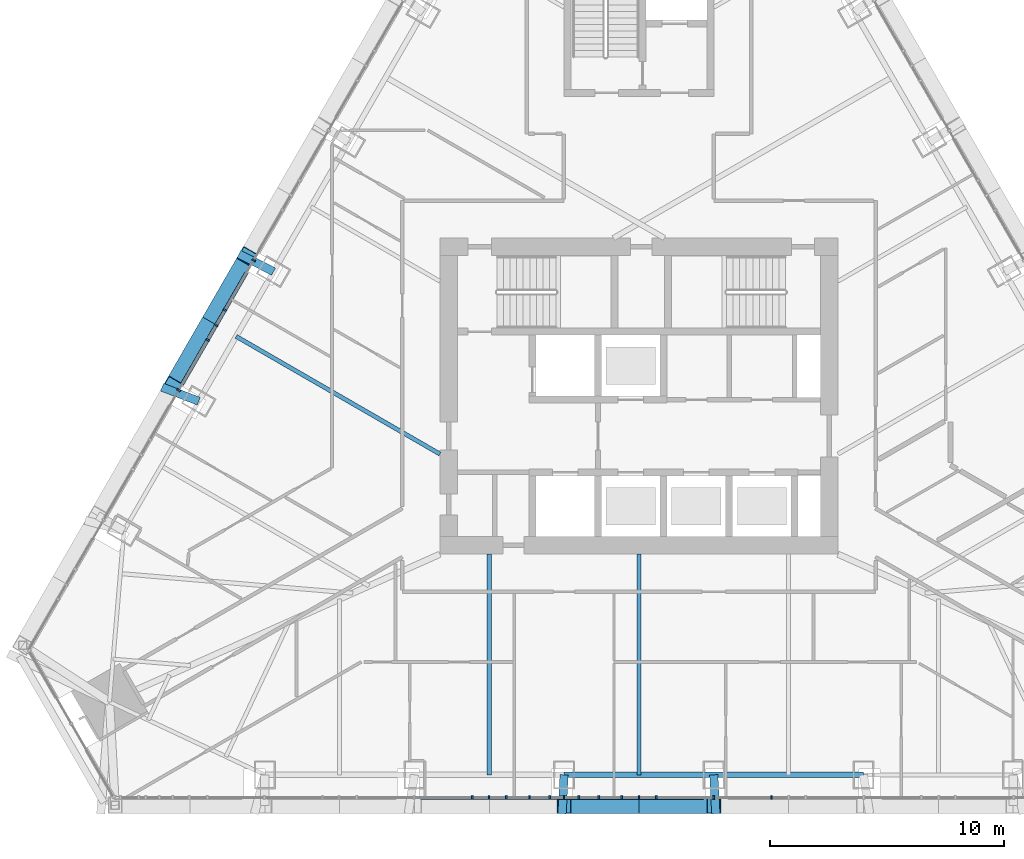
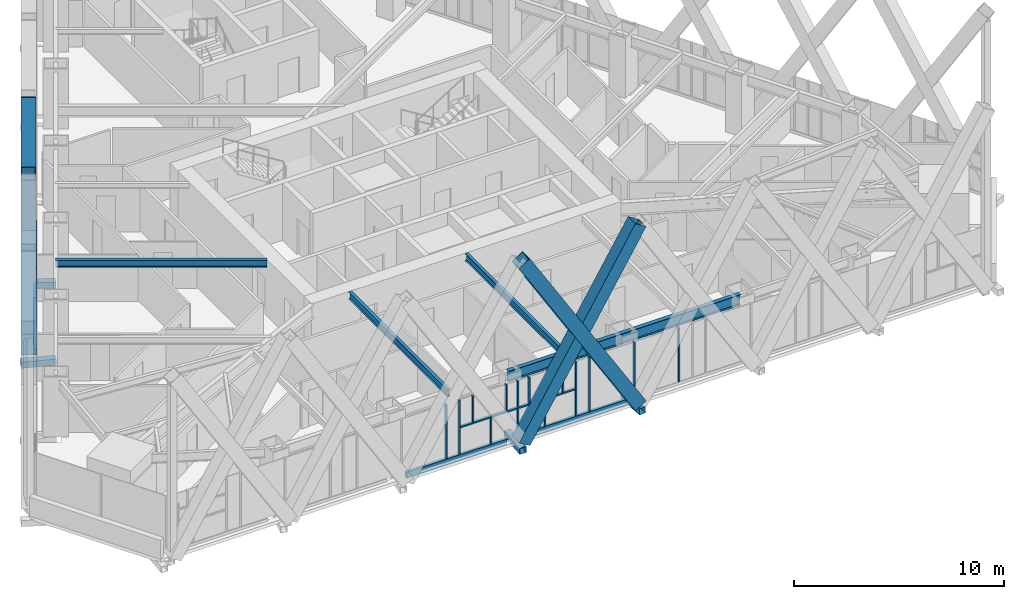
# One storey, part 3 of 21: 31 members, 4 beams, 2 elements without a shape of their own.
"""IFC4 building model written with IfcOpenShell, lengths in metres."""

from ifc_helpers import new_model, si_unit, direction, frame, origin, origin_2d, place, context, subcontext, project, spatial, rectangle, hollow_rectangle, i_section, extrude, material, layer, layer_set, material_profile, profile_set, type_object, element, aggregate, save


model = new_model("IFC4")

# Units and contexts
model_context = context("Model", 3, precision=1e-05, world=origin(), true_north=direction((0.0, 1.0)))
body_context = subcontext(model_context, "Body", "Model", "MODEL_VIEW")
ifc_project = project(units=[si_unit("LENGTHUNIT", "METRE"), si_unit("AREAUNIT", "SQUARE_METRE"), si_unit("VOLUMEUNIT", "CUBIC_METRE"), si_unit("PLANEANGLEUNIT", "RADIAN"), si_unit("MASSUNIT", "GRAM", prefix="KILO")], contexts=[model_context])

# Site, building, storey
site_placement = place(None, origin())
site = spatial("IfcSite", under=ifc_project, at=site_placement, CompositionType="ELEMENT")
building_placement = place(site_placement, origin())
building = spatial("IfcBuilding", under=site, at=building_placement, Name="Firuza Gate Tower and Library", CompositionType="ELEMENT")
storey_placement = place(building_placement, frame((0.0, 0.0, 281.10009765625)))
storey = spatial("IfcBuildingStorey", under=building, at=storey_placement, Name="L67", CompositionType="ELEMENT", Elevation=281.10009765625)

# Members
ifc_material_1 = material(Name="Steel S355", Category="steel")
ifc_material_profile_1 = material_profile(ifc_material_1, hollow_rectangle(XDim=0.699951171875, YDim=0.699951171875, WallThickness=0.030029296875, at=origin_2d()))
ifc_profile_set_1 = profile_set([ifc_material_profile_1], Name="Steel S355")
member_type_1 = type_object("IfcMemberType", Name="BU700x700x30 Lattice brace", PredefinedType="BRACE", material=ifc_profile_set_1)
for number, where, z_axis, x_axis, name in (
    (1, (71.805419921875, 57.531982421875, 0.0), (0.519819652329, 0.0, 0.854276026266), (0.0, 1.0, 0.0), "Lattice brace S 17.4R"),
    (2, (78.194580078125, 57.531982421875, 0.0), (-0.519819652329, 0.0, 0.854276026266), (0.0, -1.0, 0.0), "Lattice brace S 17.4L"),
    (3, (58.27490234375, 80.96728515625, 0.0), (-0.259909558467, -0.450178848537, 0.854275146394), (0.866026504112, -0.499998094172, 0.0), "Lattice brace W 17.5R"),
    (4, (55.080322265625, 75.43408203125, 0.0), (0.259909558467, 0.450178848537, 0.854275146394), (-0.866026504112, 0.499998094172, 0.0), "Lattice brace W 17.5L"),
):
    element("IfcMember", number, at=place(storey_placement, frame(where, z_axis=z_axis, x_axis=x_axis)), inside=storey, type_object=member_type_1, Name=name, PredefinedType="BRACE", context=body_context, shape_type="SweptSolid", body=[
        extrude(hollow_rectangle(XDim=0.699951171875, YDim=0.699951171875, WallThickness=0.030029296875, at=origin_2d()), origin(), (0.0, 0.0, 1.0), 12.291015625),
    ])

# Curtain wall, members
ifc_material_2 = material(Name="Aluminium 6063-T6", Category="aluminium")
ifc_layer = layer(ifc_material_2, 0.14990234375)
ifc_layer_set = layer_set([ifc_layer], Name="Unitised curtain wall, residences")
curtain_wall_type = type_object("IfcCurtainWallType", Name="Unitised curtain wall, residences", PredefinedType="NOTDEFINED", material=ifc_layer_set)
placement = place(storey_placement, origin())
curtain_wall_1 = element("IfcCurtainWall", 5, at=placement, inside=storey, type_object=curtain_wall_type, Name="CW3 L67 S face", PredefinedType="NOTDEFINED")
ifc_material_3 = material(Name="Aluminium 6063-T6", Category="aluminium")
ifc_material_profile_2 = material_profile(ifc_material_3, rectangle(XDim=0.14990234375, YDim=0.080078125, at=origin_2d()))
ifc_profile_set_2 = profile_set([ifc_material_profile_2], Name="Aluminium 6063-T6")
member_type_2 = type_object("IfcMemberType", Name="Curtain wall mullion 80x150", PredefinedType="MULLION", material=ifc_profile_set_2)
member_1_placement = place(storey_placement, frame((68.598388671875, 57.85693359375, 0.14990234375), z_axis=(0.0, 0.0, 1.0), x_axis=(0.0, 1.0, 0.0)))
member_1 = element("IfcMember", 6, at=member_1_placement, type_object=member_type_2, Name="Mullion", PredefinedType="MULLION", context=body_context, shape_type="SweptSolid", body=[
    extrude(rectangle(XDim=0.14990234375, YDim=0.080078125, at=origin_2d()), origin(), (0.0, 0.0, 1.0), 3.14990234375),
])
member_2_placement = place(storey_placement, frame((71.799072265625, 57.85693359375, 0.14990234375), z_axis=(0.0, 0.0, 1.0), x_axis=(0.0, 1.0, 0.0)))
member_2 = element("IfcMember", 7, at=member_2_placement, type_object=member_type_2, Name="Mullion", PredefinedType="MULLION", context=body_context, shape_type="SweptSolid", body=[
    extrude(rectangle(XDim=0.14990234375, YDim=0.080078125, at=origin_2d()), origin(), (0.0, 0.0, 1.0), 3.14990234375),
])
member_3_placement = place(storey_placement, frame((75.0, 57.85693359375, 0.14990234375), z_axis=(0.0, 0.0, 1.0), x_axis=(0.0, 1.0, 0.0)))
member_3 = element("IfcMember", 8, at=member_3_placement, type_object=member_type_2, Name="Mullion", PredefinedType="MULLION", context=body_context, shape_type="SweptSolid", body=[
    extrude(rectangle(XDim=0.14990234375, YDim=0.080078125, at=origin_2d()), origin(), (0.0, 0.0, 1.0), 3.14990234375),
])
member_4_placement = place(storey_placement, frame((78.200927734375, 57.85693359375, 0.14990234375), z_axis=(0.0, 0.0, 1.0), x_axis=(0.0, 1.0, 0.0)))
member_4 = element("IfcMember", 9, at=member_4_placement, type_object=member_type_2, Name="Mullion", PredefinedType="MULLION", context=body_context, shape_type="SweptSolid", body=[
    extrude(rectangle(XDim=0.14990234375, YDim=0.080078125, at=origin_2d()), origin(), (0.0, 0.0, 1.0), 3.14990234375),
])
member_5_placement = place(storey_placement, frame((67.878662109375, 57.85693359375, 0.14990234375), z_axis=(0.0, 0.0, 1.0), x_axis=(0.0, 1.0, 0.0)))
member_5 = element("IfcMember", 10, at=member_5_placement, type_object=member_type_2, Name="Mullion", PredefinedType="MULLION", context=body_context, shape_type="SweptSolid", body=[
    extrude(rectangle(XDim=0.14990234375, YDim=0.080078125, at=origin_2d()), origin(), (0.0, 0.0, 1.0), 3.14990234375),
])
member_6_placement = place(storey_placement, frame((70.3251953125, 57.85693359375, 0.14990234375), z_axis=(0.0, 0.0, 1.0), x_axis=(0.0, 1.0, 0.0)))
member_6 = element("IfcMember", 11, at=member_6_placement, type_object=member_type_2, Name="Mullion", PredefinedType="MULLION", context=body_context, shape_type="SweptSolid", body=[
    extrude(rectangle(XDim=0.14990234375, YDim=0.080078125, at=origin_2d()), origin(), (0.0, 0.0, 1.0), 1.534912109375),
])
member_7_placement = place(storey_placement, frame((69.342529296875, 57.85693359375, 1.764892578125), z_axis=(0.0, 0.0, 1.0), x_axis=(0.0, 1.0, 0.0)))
member_7 = element("IfcMember", 12, at=member_7_placement, type_object=member_type_2, Name="Mullion", PredefinedType="MULLION", context=body_context, shape_type="SweptSolid", body=[
    extrude(rectangle(XDim=0.14990234375, YDim=0.080078125, at=origin_2d()), origin(), (0.0, 0.0, 1.0), 1.534912109375),
])
member_8_placement = place(storey_placement, frame((71.18603515625, 57.85693359375, 1.764892578125), z_axis=(0.0, 0.0, 1.0), x_axis=(0.0, 1.0, 0.0)))
member_8 = element("IfcMember", 13, at=member_8_placement, type_object=member_type_2, Name="Mullion", PredefinedType="MULLION", context=body_context, shape_type="SweptSolid", body=[
    extrude(rectangle(XDim=0.14990234375, YDim=0.080078125, at=origin_2d()), origin(), (0.0, 0.0, 1.0), 1.534912109375),
])
member_9_placement = place(storey_placement, frame((73.285400390625, 57.85693359375, 0.14990234375), z_axis=(0.0, 0.0, 1.0), x_axis=(0.0, 1.0, 0.0)))
member_9 = element("IfcMember", 14, at=member_9_placement, type_object=member_type_2, Name="Mullion", PredefinedType="MULLION", context=body_context, shape_type="SweptSolid", body=[
    extrude(rectangle(XDim=0.14990234375, YDim=0.080078125, at=origin_2d()), origin(), (0.0, 0.0, 1.0), 1.534912109375),
])
member_10_placement = place(storey_placement, frame((72.424560546875, 57.85693359375, 1.764892578125), z_axis=(0.0, 0.0, 1.0), x_axis=(0.0, 1.0, 0.0)))
member_10 = element("IfcMember", 15, at=member_10_placement, type_object=member_type_2, Name="Mullion", PredefinedType="MULLION", context=body_context, shape_type="SweptSolid", body=[
    extrude(rectangle(XDim=0.14990234375, YDim=0.080078125, at=origin_2d()), origin(), (0.0, 0.0, 1.0), 1.534912109375),
])
member_11_placement = place(storey_placement, frame((74.26806640625, 57.85693359375, 1.764892578125), z_axis=(0.0, 0.0, 1.0), x_axis=(0.0, 1.0, 0.0)))
member_11 = element("IfcMember", 16, at=member_11_placement, type_object=member_type_2, Name="Mullion", PredefinedType="MULLION", context=body_context, shape_type="SweptSolid", body=[
    extrude(rectangle(XDim=0.14990234375, YDim=0.080078125, at=origin_2d()), origin(), (0.0, 0.0, 1.0), 1.534912109375),
])
member_12_placement = place(storey_placement, frame((75.73193359375, 57.85693359375, 0.14990234375), z_axis=(0.0, 0.0, 1.0), x_axis=(0.0, 1.0, 0.0)))
member_12 = element("IfcMember", 17, at=member_12_placement, type_object=member_type_2, Name="Mullion", PredefinedType="MULLION", context=body_context, shape_type="SweptSolid", body=[
    extrude(rectangle(XDim=0.14990234375, YDim=0.080078125, at=origin_2d()), origin(), (0.0, 0.0, 1.0), 3.14990234375),
])
member_13_placement = place(storey_placement, frame((80.657470703125, 57.85693359375, 0.14990234375), z_axis=(0.0, 0.0, 1.0), x_axis=(0.0, 1.0, 0.0)))
member_13 = element("IfcMember", 18, at=member_13_placement, type_object=member_type_2, Name="Mullion", PredefinedType="MULLION", context=body_context, shape_type="SweptSolid", body=[
    extrude(rectangle(XDim=0.14990234375, YDim=0.080078125, at=origin_2d()), origin(), (0.0, 0.0, 1.0), 3.14990234375),
])

curtain_wall_2 = element("IfcCurtainWall", 19, at=placement, inside=storey, type_object=curtain_wall_type, Name="CW3 L67 W face", PredefinedType="NOTDEFINED")
member_14_placement = place(storey_placement, frame((58.55322265625, 80.799560546875, 0.14990234375), z_axis=(0.0, 0.0, 1.0), x_axis=(0.866025403784, -0.5, 0.0)))
member_14 = element("IfcMember", 20, at=member_14_placement, type_object=member_type_2, Name="Mullion", PredefinedType="MULLION", context=body_context, shape_type="SweptSolid", body=[
    extrude(rectangle(XDim=0.14990234375, YDim=0.080078125, at=origin_2d()), origin(), (0.0, 0.0, 1.0), 3.14990234375),
])
member_15_placement = place(storey_placement, frame((56.952880859375, 78.027587890625, 0.14990234375), z_axis=(0.0, 0.0, 1.0), x_axis=(0.866025403784, -0.5, 0.0)))
member_15 = element("IfcMember", 21, at=member_15_placement, type_object=member_type_2, Name="Mullion", PredefinedType="MULLION", context=body_context, shape_type="SweptSolid", body=[
    extrude(rectangle(XDim=0.14990234375, YDim=0.080078125, at=origin_2d()), origin(), (0.0, 0.0, 1.0), 3.14990234375),
])
member_16_placement = place(storey_placement, frame((55.3525390625, 75.25537109375, 0.14990234375), z_axis=(0.0, 0.0, 1.0), x_axis=(0.866025403784, -0.5, 0.0)))
member_16 = element("IfcMember", 22, at=member_16_placement, type_object=member_type_2, Name="Mullion", PredefinedType="MULLION", context=body_context, shape_type="SweptSolid", body=[
    extrude(rectangle(XDim=0.14990234375, YDim=0.080078125, at=origin_2d()), origin(), (0.0, 0.0, 1.0), 3.14990234375),
])
member_17_placement = place(storey_placement, frame((57.324951171875, 78.672119140625, 0.14990234375), z_axis=(0.0, 0.0, 1.0), x_axis=(0.866025403784, -0.5, 0.0)))
member_17 = element("IfcMember", 23, at=member_17_placement, type_object=member_type_2, Name="Mullion", PredefinedType="MULLION", context=body_context, shape_type="SweptSolid", body=[
    extrude(rectangle(XDim=0.14990234375, YDim=0.080078125, at=origin_2d()), origin(), (0.0, 0.0, 1.0), 3.14990234375),
])
member_18_placement = place(storey_placement, frame((56.593017578125, 77.404296875, 0.14990234375), z_axis=(0.0, 0.0, 1.0), x_axis=(0.866025403784, -0.5, 0.0)))
member_18 = element("IfcMember", 24, at=member_18_placement, type_object=member_type_2, Name="Mullion", PredefinedType="MULLION", context=body_context, shape_type="SweptSolid", body=[
    extrude(rectangle(XDim=0.14990234375, YDim=0.080078125, at=origin_2d()), origin(), (0.0, 0.0, 1.0), 3.14990234375),
])

# Member
ifc_material_4 = material(Name="Aluminium 6063-T6", Category="aluminium")
ifc_material_profile_3 = material_profile(ifc_material_4, rectangle(XDim=0.14990234375, YDim=0.35009765625, at=origin_2d()))
ifc_profile_set_3 = profile_set([ifc_material_profile_3], Name="Aluminium 6063-T6")
member_type_3 = type_object("IfcMemberType", Name="Curtain wall transom 350x150", PredefinedType="USERDEFINED", material=ifc_profile_set_3)
member_19_placement = place(storey_placement, frame((65.679443359375, 57.85693359375, -0.025146484375), z_axis=(1.0, 0.0, 0.0), x_axis=(0.0, 1.0, 0.0)))
member_19 = element("IfcMember", 25, at=member_19_placement, type_object=member_type_3, Name="Transom", ObjectType="TRANSOM", PredefinedType="USERDEFINED", context=body_context, shape_type="SweptSolid", body=[
    extrude(rectangle(XDim=0.14990234375, YDim=0.35009765625, at=origin_2d()), origin(), (0.0, 0.0, 1.0), 5.51025390625),
])

member_20_placement = place(storey_placement, frame((72.244873046875, 57.85693359375, -0.025146484375), z_axis=(1.0, 0.0, 0.0), x_axis=(0.0, 1.0, 0.0)))
member_20 = element("IfcMember", 26, at=member_20_placement, type_object=member_type_3, Name="Transom", ObjectType="TRANSOM", PredefinedType="USERDEFINED", context=body_context, shape_type="SweptSolid", body=[
    extrude(rectangle(XDim=0.14990234375, YDim=0.35009765625, at=origin_2d()), origin(), (0.0, 0.0, 1.0), 5.51025390625),
])

member_21_placement = place(storey_placement, frame((58.24853515625, 80.271728515625, -0.025146484375), z_axis=(-0.500003709762, -0.866023261942, 0.0), x_axis=(0.866023261942, -0.500003709762, 0.0)))
member_21 = element("IfcMember", 27, at=member_21_placement, type_object=member_type_3, Name="Transom", ObjectType="TRANSOM", PredefinedType="USERDEFINED", context=body_context, shape_type="SweptSolid", body=[
    extrude(rectangle(XDim=0.14990234375, YDim=0.35009765625, at=origin_2d()), origin(), (0.0, 0.0, 1.0), 5.51025390625),
])

aggregate(curtain_wall_2, [member_14, member_15, member_16, member_21, member_17, member_18])

ifc_material_5 = material(Name="Aluminium 6063-T6", Category="aluminium")
ifc_material_profile_4 = material_profile(ifc_material_5, rectangle(XDim=0.14990234375, YDim=0.080078125, at=origin_2d()))
ifc_profile_set_4 = profile_set([ifc_material_profile_4], Name="Aluminium 6063-T6")
member_type_4 = type_object("IfcMemberType", Name="Curtain wall transom 80x150", PredefinedType="USERDEFINED", material=ifc_profile_set_4)
member_22_placement = place(storey_placement, frame((68.63818359375, 57.85693359375, 1.724853515625), z_axis=(1.0, 0.0, 0.0), x_axis=(0.0, 1.0, 0.0)))
member_22 = element("IfcMember", 28, at=member_22_placement, type_object=member_type_4, Name="Transom", ObjectType="TRANSOM", PredefinedType="USERDEFINED", context=body_context, shape_type="SweptSolid", body=[
    extrude(rectangle(XDim=0.14990234375, YDim=0.080078125, at=origin_2d()), origin(), (0.0, 0.0, 1.0), 3.120849609375),
])

member_23_placement = place(storey_placement, frame((71.839111328125, 57.85693359375, 1.724853515625), z_axis=(1.0, 0.0, 0.0), x_axis=(0.0, 1.0, 0.0)))
member_23 = element("IfcMember", 29, at=member_23_placement, type_object=member_type_4, Name="Transom", ObjectType="TRANSOM", PredefinedType="USERDEFINED", context=body_context, shape_type="SweptSolid", body=[
    extrude(rectangle(XDim=0.14990234375, YDim=0.080078125, at=origin_2d()), origin(), (0.0, 0.0, 1.0), 3.120849609375),
])

aggregate(curtain_wall_1, [member_1, member_2, member_3, member_4, member_19, member_20, member_5, member_6, member_7, member_8, member_22, member_9, member_10, member_11, member_23, member_12, member_13])

# Members
ifc_material_6 = material(Name="Steel S355", Category="steel")
ifc_material_profile_5 = material_profile(ifc_material_6, hollow_rectangle(XDim=0.355712890625, YDim=0.355712890625, WallThickness=0.014892578125, at=origin_2d()))
ifc_profile_set_5 = profile_set([ifc_material_profile_5], Name="Steel S355")
member_type_5 = type_object("IfcMemberType", Name="HSS356x356x16 Lattice node tie", PredefinedType="BRACE", material=ifc_profile_set_5)
for number, where, z_axis, x_axis, name in (
    (30, (71.805419921875, 58.83203125, -0.320068359375), (-0.053153887669, -0.998586332885, 0.0), (0.998586332885, -0.053153887669, 0.0), "Lattice node tie S L67 444"),
    (31, (78.194580078125, 58.83203125, -0.320068359375), (0.053153887669, -0.998586332885, 0.0), (0.998586332885, 0.053153887669, 0.0), "Lattice node tie S L67 445"),
):
    element("IfcMember", number, at=place(storey_placement, frame(where, z_axis=z_axis, x_axis=x_axis)), inside=storey, type_object=member_type_5, Name=name, PredefinedType="BRACE", context=body_context, shape_type="SweptSolid", body=[
        extrude(hollow_rectangle(XDim=0.355712890625, YDim=0.355712890625, WallThickness=0.014892578125, at=origin_2d()), origin(), (0.0, 0.0, 1.0), 1.658203125),
    ])
member_24_placement = place(storey_placement, frame((56.2060546875, 74.783935546875, -0.320068359375), z_axis=(-0.933926060074, 0.357466242202, 0.0), x_axis=(-0.357466242202, -0.933926060074, 0.0)))
element("IfcMember", 32, at=member_24_placement, inside=storey, type_object=member_type_5, Name="Lattice node tie W L67 455", PredefinedType="BRACE", context=body_context, shape_type="SweptSolid", body=[
    extrude(hollow_rectangle(XDim=0.355712890625, YDim=0.355712890625, WallThickness=0.014892578125, at=origin_2d()), origin(), (0.0, 0.0, 1.0), 1.6767578125),
])
member_25_placement = place(storey_placement, frame((59.400634765625, 80.3173828125, -0.320068359375), z_axis=(-0.891373028978, 0.453270474673, 0.0), x_axis=(-0.453270474673, -0.891373028978, 0.0)))
element("IfcMember", 33, at=member_25_placement, inside=storey, type_object=member_type_5, Name="Lattice node tie W L67 456", PredefinedType="BRACE", context=body_context, shape_type="SweptSolid", body=[
    extrude(hollow_rectangle(XDim=0.355712890625, YDim=0.355712890625, WallThickness=0.014892578125, at=origin_2d()), origin(), (0.0, 0.0, 1.0), 1.657958984375),
])

# Beams
ifc_material_7 = material(Name="Steel S355", Category="steel")
ifc_material_profile_6 = material_profile(ifc_material_7, i_section(OverallWidth=0.177978515625, OverallDepth=0.406982421875, WebThickness=0.0078125, FlangeThickness=0.0126953125, at=origin_2d()))
ifc_profile_set_6 = profile_set([ifc_material_profile_6], Name="Steel S355")
beam_type_1 = type_object("IfcBeamType", Name="W410x60 Floor beam", PredefinedType="JOIST", material=ifc_profile_set_6)
for number, where, z_axis, x_axis, name in (
    (34, (68.610595703125, 58.83203125, 3.096435546875), (0.0, 1.0, 0.0), (-1.0, 0.0, 0.0), "Floor beam L67 s21"),
    (35, (75.0, 58.83203125, 3.096435546875), (0.0, 1.0, 0.0), (-1.0, 0.0, 0.0), "Floor beam L67 s22"),
):
    element("IfcBeam", number, at=place(storey_placement, frame(where, z_axis=z_axis, x_axis=x_axis)), inside=storey, type_object=beam_type_1, Name=name, PredefinedType="JOIST", context=body_context, shape_type="SweptSolid", body=[
        extrude(i_section(OverallWidth=0.177978515625, OverallDepth=0.406982421875, WebThickness=0.0078125, FlangeThickness=0.0126953125, at=origin_2d()), origin(), (0.0, 0.0, 1.0), 9.41796875),
    ])
beam_1_placement = place(storey_placement, frame((57.803466796875, 77.55078125, 3.096435546875), z_axis=(0.866023234473, -0.500003757339, 0.0), x_axis=(0.500003757339, 0.866023234473, 0.0)))
element("IfcBeam", 36, at=beam_1_placement, inside=storey, type_object=beam_type_1, Name="Floor beam L67 s83", PredefinedType="JOIST", context=body_context, shape_type="SweptSolid", body=[
    extrude(i_section(OverallWidth=0.177978515625, OverallDepth=0.406982421875, WebThickness=0.0078125, FlangeThickness=0.0126953125, at=origin_2d()), origin(), (0.0, 0.0, 1.0), 10.0419921875),
])
ifc_material_8 = material(Name="Steel S355", Category="steel")
ifc_material_profile_7 = material_profile(ifc_material_8, i_section(OverallWidth=0.22900390625, OverallDepth=0.612060546875, WebThickness=0.011962890625, FlangeThickness=0.01953125, at=origin_2d()))
ifc_profile_set_7 = profile_set([ifc_material_profile_7], Name="Steel S355")
beam_type_2 = type_object("IfcBeamType", Name="W610x125 Edge beam", PredefinedType="SPANDREL", material=ifc_profile_set_7)
beam_2_placement = place(storey_placement, frame((71.805419921875, 58.83203125, 2.993896484375), z_axis=(1.0, 0.0, 0.0), x_axis=(0.0, 1.0, 0.0)))
element("IfcBeam", 37, at=beam_2_placement, inside=storey, type_object=beam_type_2, Name="Edge beam L67 e22", PredefinedType="SPANDREL", context=body_context, shape_type="SweptSolid", body=[
    extrude(i_section(OverallWidth=0.22900390625, OverallDepth=0.612060546875, WebThickness=0.011962890625, FlangeThickness=0.01953125, at=origin_2d()), origin(), (0.0, 0.0, 1.0), 12.778564453125),
])

save(model, "model.ifc")
